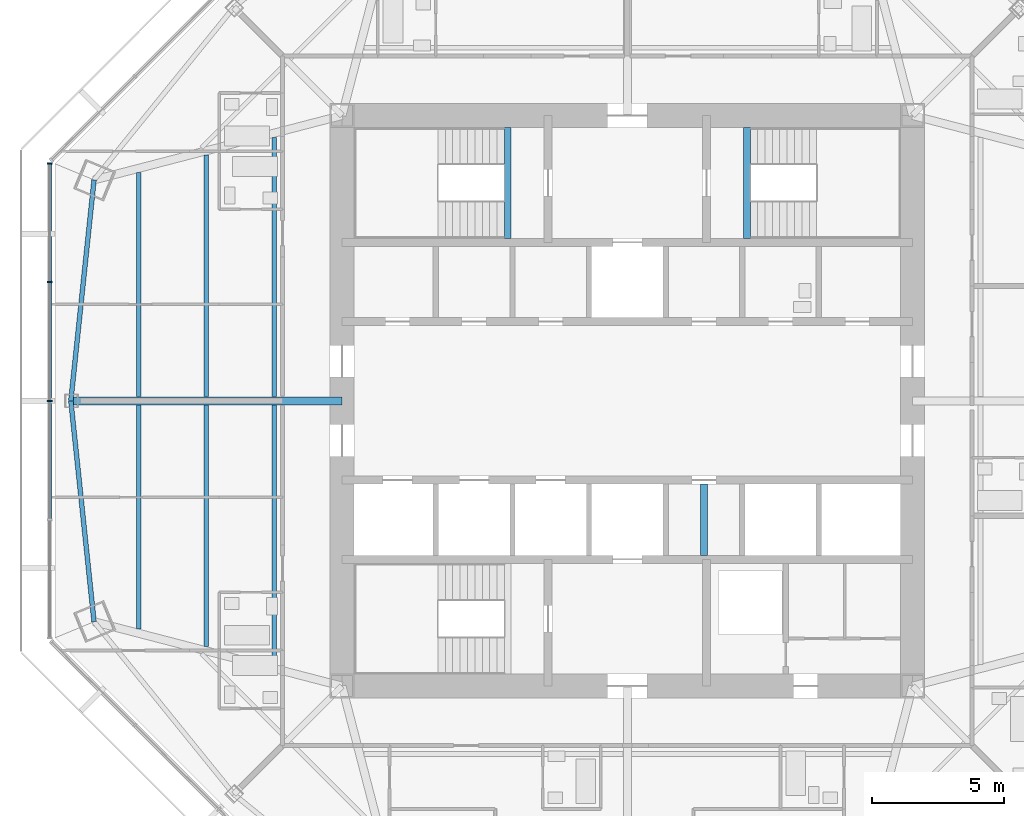
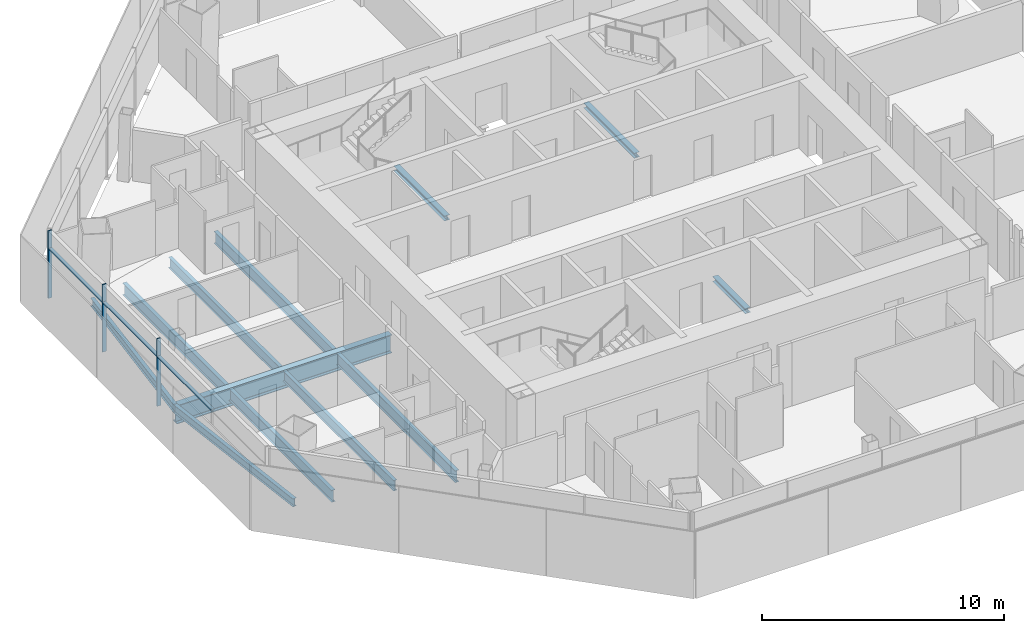
# One storey, part 3 of 16: 12 beams, 6 members, 1 element without a shape of its own.
"""IFC4 building model written with IfcOpenShell, lengths in metres."""

from ifc_helpers import new_model, si_unit, direction, frame, origin, origin_2d, place, context, subcontext, project, spatial, rectangle, i_section, extrude, source, transform, mapped, material, material_profile, profile_set, type_object, type_shapes, element, aggregate, save


model = new_model("IFC4")

# Units and contexts
model_context = context("Model", 3, precision=1e-05, world=origin(), true_north=direction((0.0, 1.0)))
body_context = subcontext(model_context, "Body", "Model", "MODEL_VIEW")
ifc_project = project(units=[si_unit("LENGTHUNIT", "METRE"), si_unit("AREAUNIT", "SQUARE_METRE"), si_unit("VOLUMEUNIT", "CUBIC_METRE"), si_unit("PLANEANGLEUNIT", "RADIAN"), si_unit("MASSUNIT", "GRAM", prefix="KILO")], contexts=[model_context])

# Site, building, storey
site_placement = place(None, origin())
site = spatial("IfcSite", under=ifc_project, at=site_placement, CompositionType="ELEMENT")
building_placement = place(site_placement, origin())
building = spatial("IfcBuilding", under=site, at=building_placement, Name="Mashrafa Tower", CompositionType="ELEMENT")
storey_placement = place(building_placement, frame((0.0, 0.0, 217.60009765625)))
storey = spatial("IfcBuildingStorey", under=building, at=storey_placement, Name="L50", CompositionType="ELEMENT", Elevation=217.60009765625)

# Beams
ifc_material_1 = material(Name="Steel ASTM A992", Category="steel")
ifc_material_profile_1 = material_profile(ifc_material_1, i_section(OverallWidth=0.177734375, OverallDepth=0.406494140625, WebThickness=0.0078125, FlangeThickness=0.012939453125, FilletRadius=0.01025390625, at=origin_2d()), Name="W16X40")
ifc_profile_set_1 = profile_set([ifc_material_profile_1], Name="Steel ASTM A992")
beam_type_1 = type_object("IfcBeamType", Name="Beam W16X40", PredefinedType="BEAM", material=ifc_profile_set_1)
for number, where, z_axis, x_axis, name in (
    (1, (-21.064697265625, 0.0, -0.4033203125), (0.104450486912, -0.994530087923, 0.0), (0.994530087923, 0.104450486912, 0.0), "Spandrel beam L50 049"),
    (2, (-20.1865234375, 8.361572265625, -0.4033203125), (-0.104450486912, -0.994530087923, 0.0), (0.994530087923, -0.104450486912, 0.0), "Spandrel beam L50 051"),
):
    element("IfcBeam", number, at=place(storey_placement, frame(where, z_axis=z_axis, x_axis=x_axis)), inside=storey, type_object=beam_type_1, Name=name, PredefinedType="BEAM", context=body_context, shape_type="SweptSolid", body=[
        extrude(i_section(OverallWidth=0.177734375, OverallDepth=0.406494140625, WebThickness=0.0078125, FlangeThickness=0.012939453125, FilletRadius=0.01025390625, at=origin_2d()), origin(), (0.0, 0.0, 1.0), 8.407470703125),
    ])
ifc_material_2 = material(Name="Steel ASTM A992", Category="steel")
ifc_material_profile_2 = material_profile(ifc_material_2, i_section(OverallWidth=0.1650390625, OverallDepth=0.52587890625, WebThickness=0.0087890625, FlangeThickness=0.011474609375, FilletRadius=0.0126953125, at=origin_2d()), Name="W21X44")
ifc_profile_set_2 = profile_set([ifc_material_profile_2], Name="Steel ASTM A992")
beam_type_2 = type_object("IfcBeamType", Name="Beam W21X44", PredefinedType="BEAM", material=ifc_profile_set_2)
for number, where, z_axis, x_axis, name in (
    (3, (-15.932373046875, -9.30908203125, -0.462890625), (0.0, 1.0, 0.0), (-1.0, 0.0, 0.0), "Floor beam L50 004"),
    (4, (-15.932373046875, 0.15380859375, -0.462890625), (0.0, 1.0, 0.0), (-1.0, 0.0, 0.0), "Floor beam L50 005"),
):
    element("IfcBeam", number, at=place(storey_placement, frame(where, z_axis=z_axis, x_axis=x_axis)), inside=storey, type_object=beam_type_2, Name=name, PredefinedType="BEAM", context=body_context, shape_type="SweptSolid", body=[
        extrude(i_section(OverallWidth=0.1650390625, OverallDepth=0.52587890625, WebThickness=0.0087890625, FlangeThickness=0.011474609375, FilletRadius=0.0126953125, at=origin_2d()), origin(), (0.0, 0.0, 1.0), 9.1552734375),
    ])
ifc_material_3 = material(Name="Steel ASTM A992", Category="steel")
ifc_material_profile_3 = material_profile(ifc_material_3, i_section(OverallWidth=0.177978515625, OverallDepth=0.599365234375, WebThickness=0.010009765625, FlangeThickness=0.012939453125, FilletRadius=0.012939453125, at=origin_2d()), Name="W24X55")
ifc_profile_set_3 = profile_set([ifc_material_profile_3], Name="Steel ASTM A992")
beam_type_3 = type_object("IfcBeamType", Name="Beam W24X55", PredefinedType="BEAM", material=ifc_profile_set_3)
for number, where, z_axis, x_axis, name in (
    (5, (-18.49853515625, -8.642578125, -0.499755859375), (0.0, 1.0, 0.0), (-1.0, 0.0, 0.0), "Floor beam L50 001"),
    (6, (-18.49853515625, 0.15380859375, -0.499755859375), (0.0, 1.0, 0.0), (-1.0, 0.0, 0.0), "Floor beam L50 002"),
):
    element("IfcBeam", number, at=place(storey_placement, frame(where, z_axis=z_axis, x_axis=x_axis)), inside=storey, type_object=beam_type_3, Name=name, PredefinedType="BEAM", context=body_context, shape_type="SweptSolid", body=[
        extrude(i_section(OverallWidth=0.177978515625, OverallDepth=0.599365234375, WebThickness=0.010009765625, FlangeThickness=0.012939453125, FilletRadius=0.012939453125, at=origin_2d()), origin(), (0.0, 0.0, 1.0), 8.48876953125),
    ])
for number, where, z_axis, x_axis, name in (
    (7, (-13.3662109375, -9.975830078125, -0.499755859375), (0.0, 1.0, 0.0), (-1.0, 0.0, 0.0), "Floor beam L50 006"),
    (8, (-13.3662109375, 0.15380859375, -0.499755859375), (0.0, 1.0, 0.0), (-1.0, 0.0, 0.0), "Floor beam L50 007"),
):
    element("IfcBeam", number, at=place(storey_placement, frame(where, z_axis=z_axis, x_axis=x_axis)), inside=storey, type_object=beam_type_3, Name=name, PredefinedType="BEAM", context=body_context, shape_type="SweptSolid", body=[
        extrude(i_section(OverallWidth=0.177978515625, OverallDepth=0.599365234375, WebThickness=0.010009765625, FlangeThickness=0.012939453125, FilletRadius=0.012939453125, at=origin_2d()), origin(), (0.0, 0.0, 1.0), 9.822021484375),
    ])
ifc_material_4 = material(Name="Steel ASTM A992", Category="steel")
ifc_material_profile_4 = material_profile(ifc_material_4, i_section(OverallWidth=0.307373046875, OverallDepth=0.927001953125, WebThickness=0.01953125, FlangeThickness=0.031982421875, FilletRadius=0.01904296875, at=origin_2d()), Name="W36X194")
ifc_profile_set_4 = profile_set([ifc_material_profile_4], Name="Steel ASTM A992")
beam_type_4 = type_object("IfcBeamType", Name="Beam W36X194", PredefinedType="BEAM", material=ifc_profile_set_4)
beam_1_placement = place(storey_placement, frame((-10.800048828125, 0.0, -0.66357421875), z_axis=(-1.0, 0.0, 0.0), x_axis=(0.0, -1.0, 0.0)))
element("IfcBeam", 9, at=beam_1_placement, inside=storey, type_object=beam_type_4, Name="Radial girder L50 036", PredefinedType="BEAM", context=body_context, shape_type="SweptSolid", body=[
    extrude(i_section(OverallWidth=0.307373046875, OverallDepth=0.927001953125, WebThickness=0.01953125, FlangeThickness=0.031982421875, FilletRadius=0.01904296875, at=origin_2d()), origin(), (0.0, 0.0, 1.0), 10.2646484375),
])
ifc_material_5 = material(Name="Steel ASTM A992", Category="steel")
ifc_material_profile_5 = material_profile(ifc_material_5, i_section(OverallWidth=0.25390625, OverallDepth=0.25390625, WebThickness=0.008544921875, FlangeThickness=0.01416015625, FilletRadius=0.010009765625, at=origin_2d()), Name="W10X49")
ifc_profile_set_5 = profile_set([ifc_material_profile_5], Name="Steel ASTM A992")
beam_type_5 = type_object("IfcBeamType", Name="Hoistway beam W10X49", PredefinedType="BEAM", material=ifc_profile_set_5)
beam_2_placement = place(storey_placement, frame((2.89990234375, -5.85009765625, -0.3271484375), z_axis=(0.0, 1.0, 0.0), x_axis=(-1.0, 0.0, 0.0)))
element("IfcBeam", 10, at=beam_2_placement, inside=storey, type_object=beam_type_5, Name="Hoistway beam L50 07", PredefinedType="BEAM", context=body_context, shape_type="SweptSolid", body=[
    extrude(i_section(OverallWidth=0.25390625, OverallDepth=0.25390625, WebThickness=0.008544921875, FlangeThickness=0.01416015625, FilletRadius=0.010009765625, at=origin_2d()), origin(), (0.0, 0.0, 1.0), 2.7001953125),
])
for number, where, z_axis, x_axis, name in (
    (11, (-4.530029296875, 6.14990234375, -0.3271484375), (0.0, 1.0, 0.0), (-1.0, 0.0, 0.0), "Stair S1 landing beam L50"),
    (12, (4.530029296875, 6.14990234375, -0.3271484375), (0.0, 1.0, 0.0), (-1.0, 0.0, 0.0), "Stair S2 landing beam L50"),
):
    element("IfcBeam", number, at=place(storey_placement, frame(where, z_axis=z_axis, x_axis=x_axis)), inside=storey, type_object=beam_type_5, Name=name, PredefinedType="BEAM", context=body_context, shape_type="SweptSolid", body=[
        extrude(i_section(OverallWidth=0.25390625, OverallDepth=0.25390625, WebThickness=0.008544921875, FlangeThickness=0.01416015625, FilletRadius=0.010009765625, at=origin_2d()), origin(), (0.0, 0.0, 1.0), 4.2001953125),
    ])

# Curtain wall, members
ifc_material_6 = material(Name="Unitised aluminium curtain wall", Category="aluminium")
curtain_wall_type = type_object("IfcCurtainWallType", Name="Apartment curtain wall, zone 3 CW-C 180 deep", PredefinedType="NOTDEFINED", material=ifc_material_6)
curtain_wall_placement = place(storey_placement, origin())
curtain_wall = element("IfcCurtainWall", 13, at=curtain_wall_placement, inside=storey, type_object=curtain_wall_type, Name="Apartment curtain wall, zone 3 L50 west", PredefinedType="NOTDEFINED")
ifc_material_7 = material(Name="Extruded aluminium mullion", Category="aluminium")
ifc_material_profile_6 = material_profile(ifc_material_7, rectangle(XDim=0.179931640625, YDim=0.06005859375, at=origin_2d()), Name="Mullion 60x180")
ifc_profile_set_6 = profile_set([ifc_material_profile_6], Name="Extruded aluminium mullion")
member_type_1 = type_object("IfcMemberType", Name="Mullion CW-C 60 x 180", PredefinedType="MULLION", material=ifc_profile_set_6)
shared_shape_1 = source(origin(), body_context, "Body", "SweptSolid", [
    extrude(rectangle(XDim=0.179931640625, YDim=0.06005859375, at=origin_2d()), origin(), (0.0, 0.0, 1.0), 3.39990234375),
])
type_shapes(member_type_1, [shared_shape_1])
member_1_placement = place(storey_placement, frame((-21.859130859375, 8.97705078125, 0.0), z_axis=(0.0, 0.0, 1.0), x_axis=(1.0, 0.0, 0.0)))
member_1 = element("IfcMember", 14, at=member_1_placement, type_object=member_type_1, Name="CW-C mullion 1", PredefinedType="MULLION", context=body_context, shape_type="MappedRepresentation", body=[
    mapped(shared_shape_1, transform((0.0, 0.0, 0.0))),
])
member_2_placement = place(storey_placement, frame((-21.859130859375, 4.50341796875, 0.0), z_axis=(0.0, 0.0, 1.0), x_axis=(1.0, 0.0, 0.0)))
member_2 = element("IfcMember", 15, at=member_2_placement, type_object=member_type_1, Name="CW-C mullion 2", PredefinedType="MULLION", context=body_context, shape_type="MappedRepresentation", body=[
    mapped(shared_shape_1, transform((0.0, 0.0, 0.0))),
])
member_3_placement = place(storey_placement, frame((-21.859130859375, 0.0, 0.0), z_axis=(0.0, 0.0, 1.0), x_axis=(1.0, 0.0, 0.0)))
member_3 = element("IfcMember", 16, at=member_3_placement, type_object=member_type_1, Name="CW-C mullion 3", PredefinedType="MULLION", context=body_context, shape_type="MappedRepresentation", body=[
    mapped(shared_shape_1, transform((0.0, 0.0, 0.0))),
])
ifc_material_8 = material(Name="Extruded aluminium transom", Category="aluminium")
ifc_material_profile_7 = material_profile(ifc_material_8, rectangle(XDim=0.14404296875, YDim=0.074951171875, at=origin_2d()), Name="Transom 75x144")
ifc_profile_set_7 = profile_set([ifc_material_profile_7], Name="Extruded aluminium transom")
member_type_2 = type_object("IfcMemberType", Name="Transom CW-C 75 x 144", PredefinedType="MULLION", material=ifc_profile_set_7)
shared_shape_2 = source(origin(), body_context, "Body", "SweptSolid", [
    extrude(rectangle(XDim=0.14404296875, YDim=0.074951171875, at=origin_2d()), origin(), (0.0, 0.0, 1.0), 4.41357421875),
])
member_4_placement = place(storey_placement, frame((-21.859130859375, 8.947021484375, 2.5), z_axis=(0.0, -1.0, 0.0), x_axis=(1.0, 0.0, 0.0)))
member_4 = element("IfcMember", 17, at=member_4_placement, type_object=member_type_2, Name="CW-C transom 1", PredefinedType="MULLION", context=body_context, shape_type="MappedRepresentation", body=[
    mapped(shared_shape_2, transform((0.0, 0.0, 0.0))),
])
shared_shape_3 = source(origin(), body_context, "Body", "SweptSolid", [
    extrude(rectangle(XDim=0.14404296875, YDim=0.074951171875, at=origin_2d()), origin(), (0.0, 0.0, 1.0), 4.443603515625),
])
type_shapes(member_type_2, [shared_shape_2, shared_shape_3])
member_5_placement = place(storey_placement, frame((-21.859130859375, 4.4736328125, 2.5), z_axis=(0.0, -1.0, 0.0), x_axis=(1.0, 0.0, 0.0)))
member_5 = element("IfcMember", 18, at=member_5_placement, type_object=member_type_2, Name="CW-C transom 2", PredefinedType="MULLION", context=body_context, shape_type="MappedRepresentation", body=[
    mapped(shared_shape_3, transform((0.0, 0.0, 0.0))),
])
member_6_placement = place(storey_placement, frame((-21.859130859375, -0.030029296875, 2.5), z_axis=(0.0, -1.0, 0.0), x_axis=(1.0, 0.0, 0.0)))
member_6 = element("IfcMember", 19, at=member_6_placement, type_object=member_type_2, Name="CW-C transom 3", PredefinedType="MULLION", context=body_context, shape_type="MappedRepresentation", body=[
    mapped(shared_shape_3, transform((0.0, 0.0, 0.0))),
])
aggregate(curtain_wall, [member_1, member_2, member_3, member_4, member_5, member_6])

save(model, "model.ifc")
